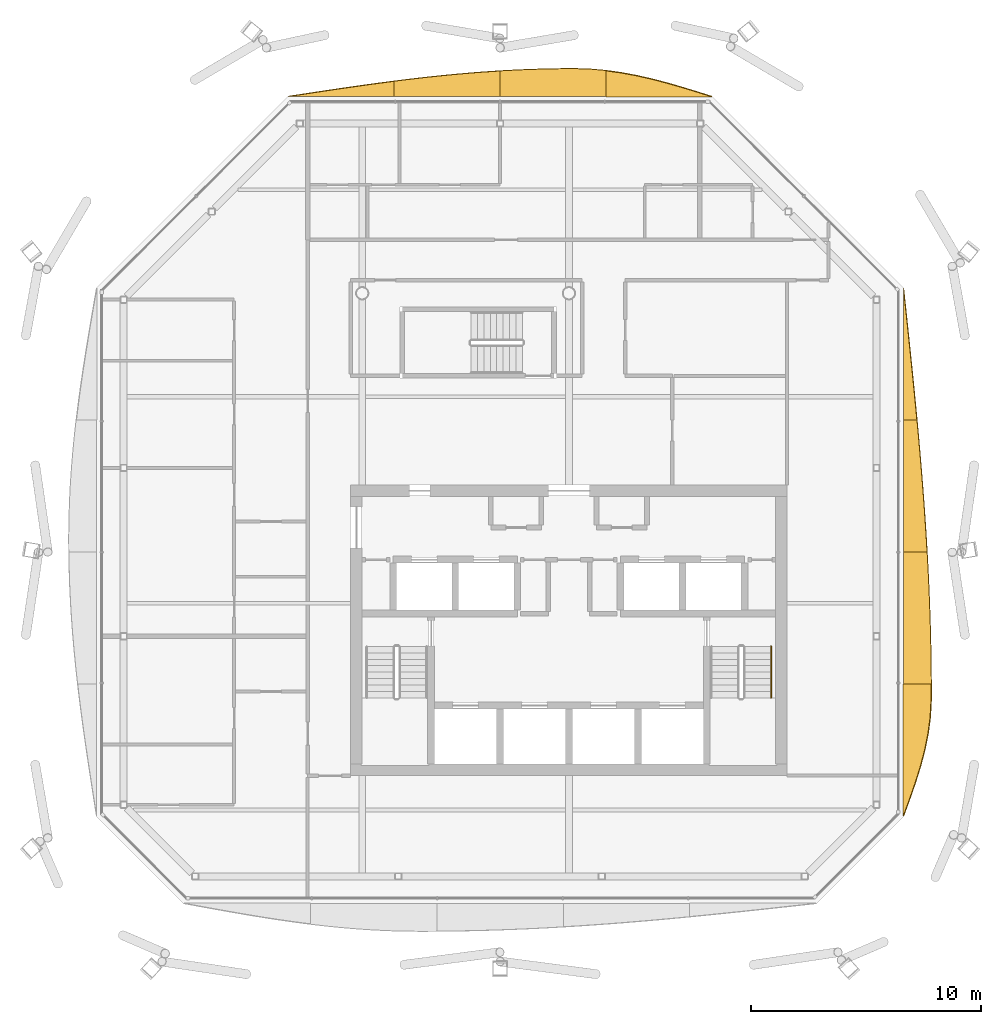
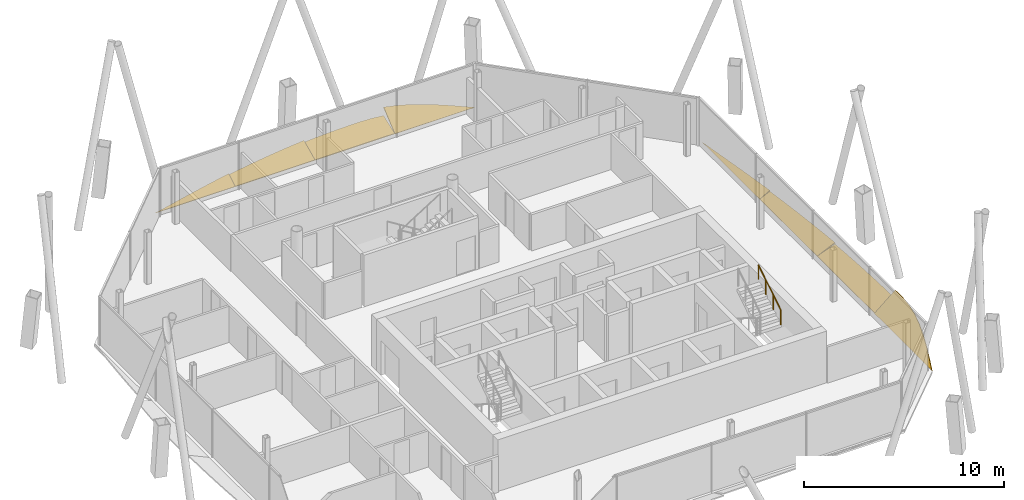
# One storey, part 16 of 16: 8 shading devices, 1 railing.
"""IFC4 building model written with IfcOpenShell, lengths in metres."""

from ifc_helpers import new_model, si_unit, direction, frame, origin, origin_2d, place, context, subcontext, project, spatial, polyline, circle, outline, extrude, material, layer, layer_set, type_object, element, save


model = new_model("IFC4")

# Units and contexts
model_context = context("Model", 3, precision=1e-05, world=origin(), true_north=direction((0.0, 1.0)))
body_context = subcontext(model_context, "Body", "Model", "MODEL_VIEW")
ifc_project = project(units=[si_unit("LENGTHUNIT", "METRE"), si_unit("AREAUNIT", "SQUARE_METRE"), si_unit("VOLUMEUNIT", "CUBIC_METRE"), si_unit("PLANEANGLEUNIT", "RADIAN"), si_unit("MASSUNIT", "GRAM", prefix="KILO")], contexts=[model_context])

# Site, building, storey
site_placement = place(None, origin())
site = spatial("IfcSite", under=ifc_project, at=site_placement, CompositionType="ELEMENT")
building_placement = place(site_placement, origin())
building = spatial("IfcBuilding", under=site, at=building_placement, Name="Tskaro Facet Tower", CompositionType="ELEMENT")
storey_placement = place(building_placement, frame((0.0, 0.0, 245.550048828125)))
storey = spatial("IfcBuildingStorey", under=building, at=storey_placement, Name="L64", CompositionType="ELEMENT", Elevation=245.550048828125)

# Shading devices
ifc_material_1 = material(Name="Bronze anodised aluminium 6063-T6", Category="aluminium")
ifc_layer = layer(ifc_material_1, 0.06005859375, Name="Bronze anodised aluminium 6063-T6")
ifc_layer_set = layer_set([ifc_layer], Name="Bronze anodised aluminium 6063-T6")
shading_device_type = type_object("IfcShadingDeviceType", Name="Bronze sun blade (FN1)", PredefinedType="USERDEFINED", material=ifc_layer_set)
shading_device_1_placement = place(storey_placement, frame((14.552490234375, -13.764892578125, 0.0458984375), z_axis=(-0.642820767912, 2.88524e-07, 0.766016618841), x_axis=(1.85469e-07, 1.0, -2.21014e-07)))
element("IfcShadingDevice", 1, at=shading_device_1_placement, inside=storey, type_object=shading_device_type, Name="Fin blade east 1", ObjectType="FIN", PredefinedType="USERDEFINED", context=body_context, shape_type="SweptSolid", body=[
    extrude(outline(polyline([(0.0, 0.0), (5.746582031249761, -1.521107598302591e-22), (5.746582031242923, -1.5757445140669373), (5.148925781290119, -1.5778383178197326), (5.028320312520877, -1.5766194387232724), (4.310058593739104, -1.5263550424485393), (3.591552734377079, -1.4029748712905863), (2.8732910156278364, -1.2127001822837125), (2.1550292968479052, -0.9641899906551366), (1.4365234375055145, -0.6696030102574182), (0.7182617187473033, -0.3429445886957405), (0.0, 0.0)])), origin(), (0.0, 0.0, -1.0), 0.06005859375),
])
shading_device_2_placement = place(storey_placement, frame((14.570556640625, -8.018310546875, 0.056396484375), z_axis=(-0.34200059049, -9.999203e-06, 0.939699737152), x_axis=(-3.419733e-06, 0.99999999995, 9.396248e-06)))
element("IfcShadingDevice", 2, at=shading_device_2_placement, inside=storey, type_object=shading_device_type, Name="Fin blade east 2", ObjectType="FIN", PredefinedType="USERDEFINED", context=body_context, shape_type="SweptSolid", body=[
    extrude(outline(polyline([(0.0, 0.0), (5.7468261715877045, 2.4338755548607148e-21), (5.746826171936113, -1.090682714613847), (5.028564452901715, -1.1314607645160015), (4.310058593671521, -1.1678377160110678), (3.5917968740363997, -1.1995006539799766), (2.873535155665367, -1.2265330746606447), (2.155029296474326, -1.2486220629340035), (1.4367675785481475, -1.2655381999189002), (0.7185058604269479, -1.2775109044964874), (-8.082662479021668e-10, -1.2844566804288482), (0.0, 0.0)])), origin(), (0.0, 0.0, -1.0), 0.06005859375),
])
shading_device_3_placement = place(storey_placement, frame((14.565673828125, -2.271484375, 0.054443359375), z_axis=(-0.422489729837, 5.42728e-07, 0.906367711352), x_axis=(2.29297e-07, 1.0, -4.91911e-07)))
element("IfcShadingDevice", 3, at=shading_device_3_placement, inside=storey, type_object=shading_device_type, Name="Fin blade east 3", ObjectType="FIN", PredefinedType="USERDEFINED", context=body_context, shape_type="SweptSolid", body=[
    extrude(outline(polyline([(0.0, 0.0), (5.746826171874154, -1.5211722217879468e-22), (5.746826171841012, -0.6464962194661761), (5.028320312512994, -0.7189142200968965), (4.310058593794665, -0.788382393219301), (3.591796875005045, -0.8546794576538606), (2.8732910156392295, -0.9177022664938761), (2.1550292968912372, -0.9772295385598184), (1.4367675780882225, -1.032494283406401), (0.7182617187171458, -1.0839390633926824), (-1.983888247237314e-11, -1.130796888073376), (0.0, 0.0)])), origin(), (0.0, 0.0, -1.0), 0.06005859375),
])
shading_device_4_placement = place(storey_placement, frame((14.56103515625, 3.475341796875, 0.052001953125), z_axis=(-0.499801470784, 4.067764e-06, 0.866139994334), x_axis=(2.033074e-06, 0.999999999992, -3.523253e-06)))
element("IfcShadingDevice", 4, at=shading_device_4_placement, inside=storey, type_object=shading_device_type, Name="Fin blade east 4", ObjectType="FIN", PredefinedType="USERDEFINED", context=body_context, shape_type="SweptSolid", body=[
    extrude(outline(polyline([(0.0, 0.0), (5.746582031202457, -1.2168860786420728e-21), (5.02832031298739, -0.08815089916278715), (4.310058594275964, -0.17609033836601823), (3.5915527343106435, -0.26327337584712707), (2.8732910155654037, -0.34924450795964923), (2.1550292965550777, -0.434125756547039), (1.4365234368859388, -0.5170386980437198), (0.718261718668151, -0.5978613106062378), (-7.980828133079975e-11, -0.6765041561184907), (0.0, 0.0)])), origin(), (0.0, 0.0, -1.0), 0.06005859375),
])
shading_device_5_placement = place(storey_placement, frame((6.221923828125, 17.552490234375, 0.0458984375), z_axis=(1.3439977e-05, -0.642822887301, 0.766014840183), x_axis=(-0.99999999991, -8.639525e-06, 1.0295222e-05)))
element("IfcShadingDevice", 5, at=shading_device_5_placement, inside=storey, type_object=shading_device_type, Name="Fin blade north 1", ObjectType="FIN", PredefinedType="USERDEFINED", context=body_context, shape_type="SweptSolid", body=[
    extrude(outline(polyline([(0.0, 0.0), (4.610839843333565, -3.90553326216912e-21), (4.610839844134779, -1.473151995047302), (3.952148438382264, -1.3546172632528612), (3.293457029858041, -1.19607006048878), (2.6347656242212314, -1.0023257500818565), (1.9760742186939206, -0.7789477567263228), (1.3173828138201205, -0.5323443533445806), (0.6586914046245124, -0.27017276793129313), (0.0, 0.0)])), origin(), (0.0, 0.0, -1.0), 0.06005859375),
])
shading_device_6_placement = place(storey_placement, frame((1.611083984375, 17.570556640625, 0.056396484375), z_axis=(1.3413644e-05, -0.341991909134, 0.939702896615), x_axis=(-0.99999999991, -4.587358e-06, 1.260484e-05)))
element("IfcShadingDevice", 6, at=shading_device_6_placement, inside=storey, type_object=shading_device_type, Name="Fin blade north 2", ObjectType="FIN", PredefinedType="USERDEFINED", context=body_context, shape_type="SweptSolid", body=[
    extrude(outline(polyline([(0.0, 0.0), (4.611083983960174, 0.0), (4.6110839853578725, -1.1818962594394198), (3.952392577632691, -1.2200461366368298), (3.293701169937961, -1.2496232358798776), (2.6350097653510347, -1.2707110512870112), (1.976318359957125, -1.282683755316305), (1.401855470211088, -1.2860836813912366), (1.3176269526362723, -1.2857707676202739), (0.6586914061842798, -1.262138273332649), (-3.4821737430101776e-10, -1.2008147411526433), (0.0, 0.0)])), origin(), (0.0, 0.0, -1.0), 0.06005859375),
])
shading_device_7_placement = place(storey_placement, frame((-3.0, 17.565673828125, 0.054443359375), z_axis=(-6.414e-09, -0.422589856911, 0.906321031884), x_axis=(-1.0, 2.71e-09, -5.813e-09)))
element("IfcShadingDevice", 7, at=shading_device_7_placement, inside=storey, type_object=shading_device_type, Name="Fin blade north 3", ObjectType="FIN", PredefinedType="USERDEFINED", context=body_context, shape_type="SweptSolid", body=[
    extrude(outline(polyline([(0.0, 0.0), (4.611083984375, 0.0), (4.611083984375168, -0.7337665061352492), (3.95239257812479, -0.82376534459411), (3.2934570312497082, -0.9080858040884489), (2.6347656250000178, -0.9861821737001313), (1.976074218750153, -1.0572874727278474), (1.3173828125001132, -1.1214017011715973), (0.6586914062500908, -1.1774334371951118), (8.510846845573893e-14, -1.2253826807983907), (0.0, 0.0)])), origin(), (0.0, 0.0, -1.0), 0.06005859375),
])
shading_device_8_placement = place(storey_placement, frame((-7.611083984375, 17.56103515625, 0.052001953125), z_axis=(1.2210525e-05, -0.499900850736, 0.866082639986), x_axis=(-0.999999999925, -6.104052e-06, 1.0575324e-05)))
element("IfcShadingDevice", 8, at=shading_device_8_placement, inside=storey, type_object=shading_device_type, Name="Fin blade north 4", ObjectType="FIN", PredefinedType="USERDEFINED", context=body_context, shape_type="SweptSolid", body=[
    extrude(outline(polyline([(0.0, 0.0), (4.61083984340627, 0.0), (3.952148436616121, -0.11582921550143029), (3.2934570302246, -0.2311134929826278), (2.6347656250289626, -0.34476295640312693), (1.9760742188459712, -0.45611062163654914), (1.3173828124728808, -0.5640666126424289), (0.6586914073999389, -0.6684194834637226), (-7.393310252605347e-10, -0.767835265847673), (0.0, 0.0)])), origin(), (0.0, 0.0, -1.0), 0.06005859375),
])

# Railing
ifc_material_2 = material(Name="Stainless steel", Category="steel")
railing_type = type_object("IfcRailingType", Name="RL-HANDRAIL-900", PredefinedType="HANDRAIL", material=ifc_material_2)
railing_placement = place(storey_placement, frame((8.800048828125, -8.614990234375, 1.75)))
element("IfcRailing", 9, at=railing_placement, inside=storey, type_object=railing_type, Name="L64 ST-2 stair handrail 2", PredefinedType="HANDRAIL", context=body_context, shape_type="SweptSolid", body=[
    extrude(circle(Radius=0.02392578125, at=origin_2d()), frame((0.0, 0.0, 0.8759765625), z_axis=(0.0, 0.848013881152, 0.529974015752), x_axis=(-1.0, 0.0, 0.0)), (0.0, 0.0, 1.0), 2.641357421875),
    extrude(circle(Radius=0.02099609375, at=origin_2d()), origin(), (0.0, 0.0, 1.0), 0.851806640625),
    extrude(circle(Radius=0.02099609375, at=origin_2d()), frame((0.0, 0.74658203125, 0.466552734375)), (0.0, 0.0, 1.0), 0.851806640625),
    extrude(circle(Radius=0.02099609375, at=origin_2d()), frame((0.0, 1.493408203125, 0.933349609375)), (0.0, 0.0, 1.0), 0.851806640625),
    extrude(circle(Radius=0.02099609375, at=origin_2d()), frame((0.0, 2.239990234375, 1.39990234375)), (0.0, 0.0, 1.0), 0.851806640625),
])

save(model, "model.ifc")
